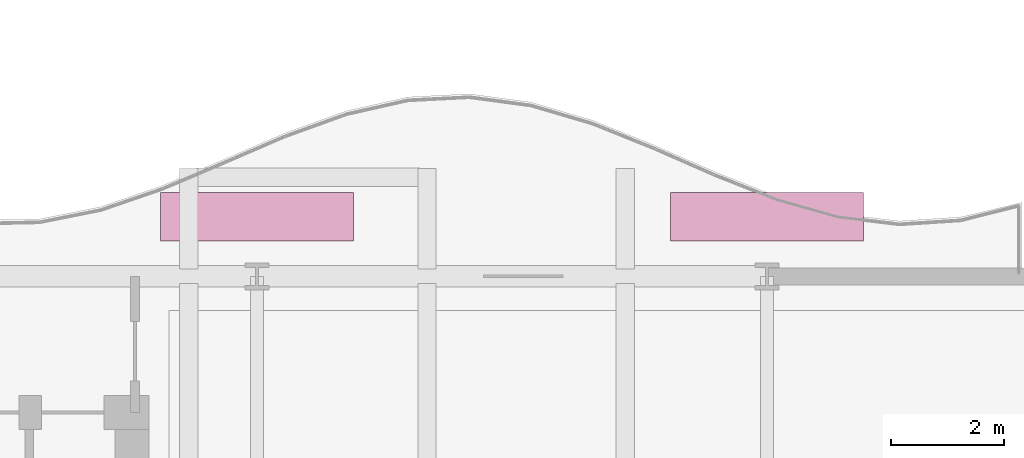
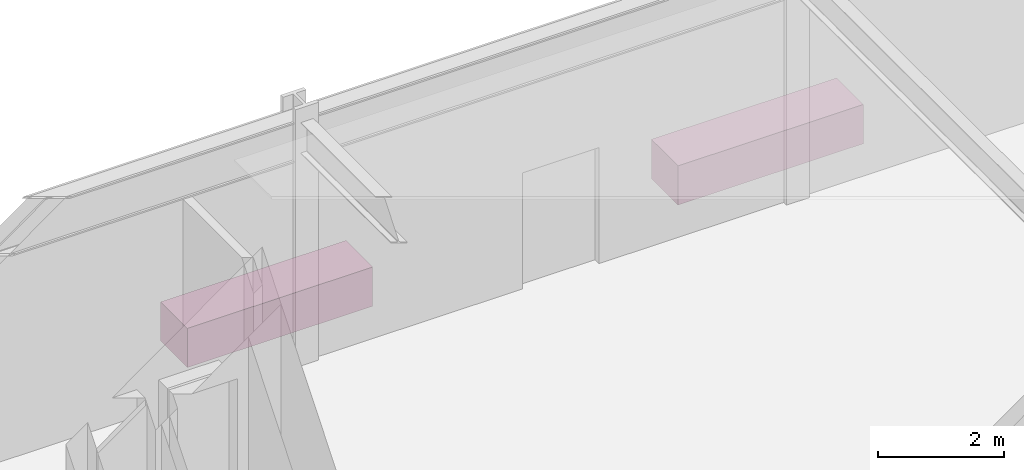
# One storey, part 39 of 39: 2 furnishings.
"""IFC4 building model written with IfcOpenShell, lengths in metres."""

from ifc_helpers import new_model, si_unit, direction, frame, origin, origin_2d, place, context, subcontext, project, spatial, rectangle, extrude, material, type_object, element, save


model = new_model("IFC4")

# Units and contexts
model_context = context("Model", 3, precision=1e-05, world=origin(), true_north=direction((0.0, 1.0)))
body_context = subcontext(model_context, "Body", "Model", "MODEL_VIEW")
ifc_project = project(units=[si_unit("LENGTHUNIT", "METRE"), si_unit("AREAUNIT", "SQUARE_METRE"), si_unit("VOLUMEUNIT", "CUBIC_METRE"), si_unit("PLANEANGLEUNIT", "RADIAN"), si_unit("MASSUNIT", "GRAM", prefix="KILO")], contexts=[model_context])

# Site, building, storey
site_placement = place(None, origin())
site = spatial("IfcSite", under=ifc_project, at=site_placement, CompositionType="ELEMENT")
building_placement = place(site_placement, origin())
building = spatial("IfcBuilding", under=site, at=building_placement, Name="Solvaryn Broadcast Tower", CompositionType="ELEMENT")
storey_placement = place(building_placement, frame((0.0, 0.0, 84.10009765625)))
storey = spatial("IfcBuildingStorey", under=building, at=storey_placement, Name="L20", CompositionType="ELEMENT", Elevation=84.10009765625)

# Furnishings
ifc_material = material(Name="Architectural Terracotta Planter Bed", Category="masonry")
furnishing_element_type = type_object("IfcFurnishingElementType", Name="PLB-01 Garden Planter Bed", material=ifc_material)
for number, where, z_axis, x_axis, name in (
    (1, (45.0, 28.050048828125, 0.0), (0.0, 0.0, 1.0), (1.0, 0.0, 0.0), "L20 Planted Terrace Planter PLANTER-TS-SG-L20-1"),
    (2, (54.0, 28.050048828125, 0.0), (0.0, 0.0, 1.0), (1.0, 0.0, 0.0), "L20 Planted Terrace Planter PLANTER-TS-SG-L20-2"),
):
    element("IfcFurnishingElement", number, at=place(storey_placement, frame(where, z_axis=z_axis, x_axis=x_axis)), inside=storey, type_object=furnishing_element_type, Name=name, ObjectType="PLANTER", context=body_context, shape_type="SweptSolid", body=[
        extrude(rectangle(XDim=3.39990234375, YDim=0.85009765625, at=origin_2d()), origin(), (0.0, 0.0, 1.0), 0.760009765625),
    ])

save(model, "model.ifc")
